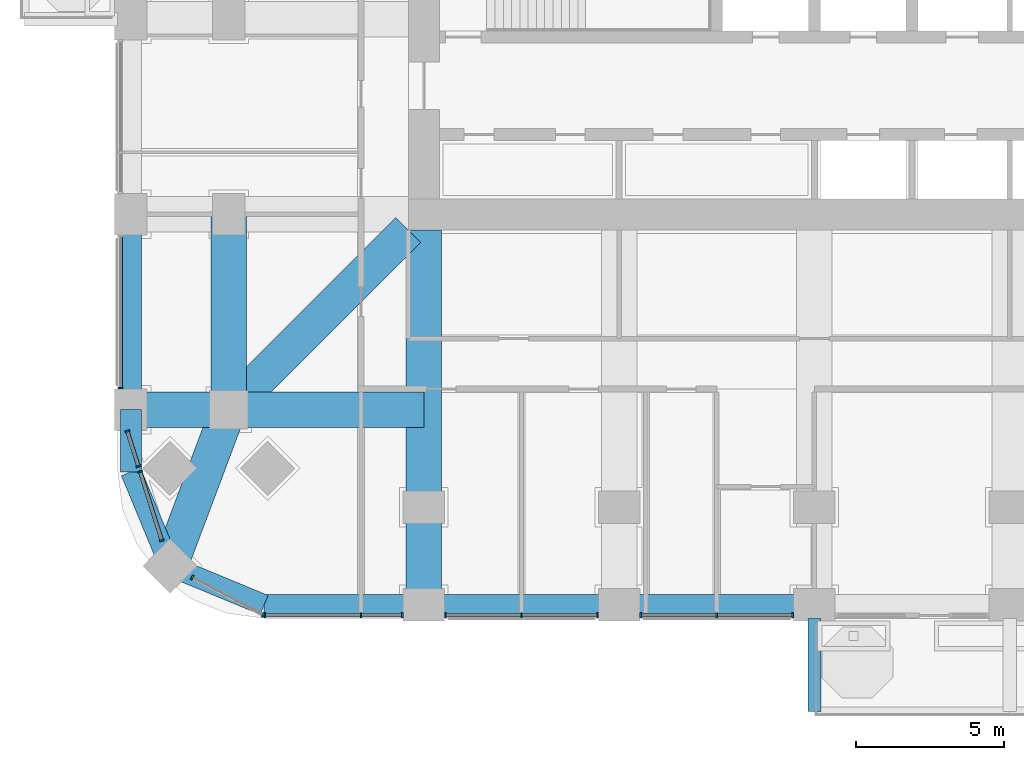
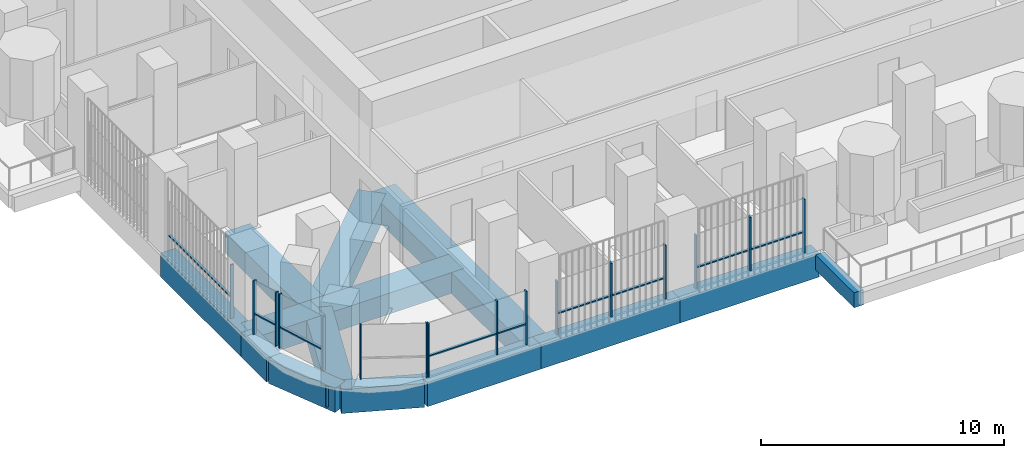
# One storey, part 2 of 22: 25 members, 14 beams, 7 elements without a shape of their own.
"""IFC4 building model written with IfcOpenShell, lengths in metres."""

from ifc_helpers import new_model, si_unit, direction, frame, origin, origin_2d, place, context, subcontext, project, spatial, rectangle, extrude, material, material_profile, profile_set, type_object, element, aggregate, save


model = new_model("IFC4")

# Units and contexts
model_context = context("Model", 3, precision=1e-05, world=origin(), true_north=direction((0.0, 1.0)))
body_context = subcontext(model_context, "Body", "Model", "MODEL_VIEW")
ifc_project = project(units=[si_unit("LENGTHUNIT", "METRE"), si_unit("AREAUNIT", "SQUARE_METRE"), si_unit("VOLUMEUNIT", "CUBIC_METRE"), si_unit("PLANEANGLEUNIT", "RADIAN"), si_unit("MASSUNIT", "GRAM", prefix="KILO")], contexts=[model_context])

# Site, building, storey
site_placement = place(None, origin())
site = spatial("IfcSite", under=ifc_project, at=site_placement, CompositionType="ELEMENT")
building_placement = place(site_placement, origin())
building = spatial("IfcBuilding", under=site, at=building_placement, Name="Cobogo Forest Laboratory Tower", CompositionType="ELEMENT")
storey_placement = place(building_placement, frame((0.0, 0.0, 111.60009765625)))
storey = spatial("IfcBuildingStorey", under=building, at=storey_placement, Name="L25", CompositionType="ELEMENT", Elevation=111.60009765625)

# Beams
ifc_material_1 = material(Name="Concrete HA-40 (C40/50)", Category="concrete")
ifc_material_profile_1 = material_profile(ifc_material_1, rectangle(XDim=0.449951171875, YDim=0.75, at=origin_2d()), Name="RC 450x750")
ifc_profile_set_1 = profile_set([ifc_material_profile_1], Name="Concrete HA-40 (C40/50)")
beam_type_1 = type_object("IfcBeamType", Name="Balcony cantilever beam 450x750", PredefinedType="BEAM", material=ifc_profile_set_1)
beam_1_placement = place(storey_placement, frame((26.39990234375, -0.449951171875, -0.625), z_axis=(0.0, -1.0, 0.0), x_axis=(1.0, 0.0, 0.0)))
element("IfcBeam", 1, at=beam_1_placement, inside=storey, type_object=beam_type_1, Name="CB1 BAL-S1-C1 L25", PredefinedType="BEAM", context=body_context, shape_type="SweptSolid", body=[
    extrude(rectangle(XDim=0.449951171875, YDim=0.75, at=origin_2d()), origin(), (0.0, 0.0, 1.0), 3.150146484375),
])
ifc_material_profile_2 = material_profile(ifc_material_1, rectangle(XDim=1.199951171875, YDim=1.050048828125, at=origin_2d()), Name="RC 1200x1050")
ifc_profile_set_2 = profile_set([ifc_material_profile_2], Name="Concrete HA-40 (C40/50)")
beam_type_2 = type_object("IfcBeamType", Name="Laboratory floor wide beam 1200x1050", PredefinedType="BEAM", material=ifc_profile_set_2)
beam_2_placement = place(storey_placement, frame((13.199951171875, 12.675048828125, -0.8251953125), z_axis=(0.0, -1.0, 0.0), x_axis=(1.0, 0.0, 0.0)))
element("IfcBeam", 2, at=beam_2_placement, inside=storey, type_object=beam_type_2, Name="RB1 R-3-S L25", PredefinedType="BEAM", context=body_context, shape_type="SweptSolid", body=[
    extrude(rectangle(XDim=1.199951171875, YDim=1.050048828125, at=origin_2d()), origin(), (0.0, 0.0, 1.0), 12.675048828125),
])
beam_3_placement = place(storey_placement, frame((6.60009765625, 6.60009765625, -0.8251953125), z_axis=(0.0, 1.0, 0.0), x_axis=(-1.0, 0.0, 0.0)))
element("IfcBeam", 3, at=beam_3_placement, inside=storey, type_object=beam_type_2, Name="RB1 G-SW-XC L25", PredefinedType="BEAM", context=body_context, shape_type="SweptSolid", body=[
    extrude(rectangle(XDim=1.199951171875, YDim=1.050048828125, at=origin_2d()), origin(), (0.0, 0.0, 1.0), 6.599853515625),
])
beam_4_placement = place(storey_placement, frame((3.300048828125, 6.60009765625, -0.8251953125), z_axis=(1.0, 0.0, 0.0), x_axis=(0.0, 1.0, 0.0)))
element("IfcBeam", 4, at=beam_4_placement, inside=storey, type_object=beam_type_2, Name="RB1 G-SW-YF L25", PredefinedType="BEAM", context=body_context, shape_type="SweptSolid", body=[
    extrude(rectangle(XDim=1.199951171875, YDim=1.050048828125, at=origin_2d()), origin(), (0.0, 0.0, 1.0), 3.300048828125),
])
beam_5_placement = place(storey_placement, frame((6.60009765625, 6.60009765625, -0.8251953125), z_axis=(1.0, 0.0, 0.0), x_axis=(0.0, 1.0, 0.0)))
element("IfcBeam", 5, at=beam_5_placement, inside=storey, type_object=beam_type_2, Name="RB1 G-SW-YC L25", PredefinedType="BEAM", context=body_context, shape_type="SweptSolid", body=[
    extrude(rectangle(XDim=1.199951171875, YDim=1.050048828125, at=origin_2d()), origin(), (0.0, 0.0, 1.0), 6.599853515625),
])
beam_6_placement = place(storey_placement, frame((4.617919921875, 1.318115234375, -0.8251953125), z_axis=(0.351346325373, 0.936245565889, 0.0), x_axis=(-0.936245565889, 0.351346325373, 0.0)))
element("IfcBeam", 6, at=beam_6_placement, inside=storey, type_object=beam_type_2, Name="RB1 G-SW-D1 L25", PredefinedType="BEAM", context=body_context, shape_type="SweptSolid", body=[
    extrude(rectangle(XDim=1.199951171875, YDim=1.050048828125, at=origin_2d()), origin(), (0.0, 0.0, 1.0), 5.6416015625),
])
beam_7_placement = place(storey_placement, frame((6.60009765625, 6.60009765625, -0.8251953125), z_axis=(0.707106781187, 0.707106781187, 0.0), x_axis=(-0.707106781187, 0.707106781187, 0.0)))
element("IfcBeam", 7, at=beam_7_placement, inside=storey, type_object=beam_type_2, Name="RB1 G-SW-D2 L25", PredefinedType="BEAM", context=body_context, shape_type="SweptSolid", body=[
    extrude(rectangle(XDim=1.199951171875, YDim=1.050048828125, at=origin_2d()), origin(), (0.0, 0.0, 1.0), 8.59130859375),
])

# Curtain wall, members
ifc_material_2 = material(Name="Aluminium curtain wall", Category="aluminium")
curtain_wall_type = type_object("IfcCurtainWallType", Name="CW-1 unitised curtain wall, clear glazing, laboratory floors zones A and B", PredefinedType="USERDEFINED", material=ifc_material_2)
curtain_wall_1_placement = place(storey_placement, origin())
curtain_wall_1 = element("IfcCurtainWall", 8, at=curtain_wall_1_placement, inside=storey, type_object=curtain_wall_type, Name="Curtain wall 01 L25", ObjectType="UNITISED CURTAIN WALL", PredefinedType="USERDEFINED")
ifc_material_3 = material(Name="Aluminium mullion", Category="aluminium")
ifc_material_profile_3 = material_profile(ifc_material_3, rectangle(XDim=0.06005859375, YDim=0.159912109375, at=origin_2d()), Name="AL 60x160")
ifc_profile_set_3 = profile_set([ifc_material_profile_3], Name="Aluminium mullion")
member_type_1 = type_object("IfcMemberType", Name="MU-1 aluminium mullion 60x160", PredefinedType="MULLION", material=ifc_profile_set_3)
member_1_placement = place(storey_placement, frame((7.830078125, -0.35009765625, 0.0), z_axis=(0.0, 0.0, 1.0), x_axis=(1.0, 0.0, 0.0)))
member_1 = element("IfcMember", 9, at=member_1_placement, type_object=member_type_1, Name="CW-1 mullion 1", PredefinedType="MULLION", context=body_context, shape_type="SweptSolid", body=[
    extrude(rectangle(XDim=0.06005859375, YDim=0.159912109375, at=origin_2d()), origin(), (0.0, 0.0, 1.0), 2.699951171875),
])
member_2_placement = place(storey_placement, frame((11.074951171875, -0.35009765625, 0.0), z_axis=(0.0, 0.0, 1.0), x_axis=(1.0, 0.0, 0.0)))
member_2 = element("IfcMember", 10, at=member_2_placement, type_object=member_type_1, Name="CW-1 mullion 2", PredefinedType="MULLION", context=body_context, shape_type="SweptSolid", body=[
    extrude(rectangle(XDim=0.06005859375, YDim=0.159912109375, at=origin_2d()), origin(), (0.0, 0.0, 1.0), 2.699951171875),
])
member_3_placement = place(storey_placement, frame((12.469970703125, -0.35009765625, 0.0), z_axis=(0.0, 0.0, 1.0), x_axis=(1.0, 0.0, 0.0)))
member_3 = element("IfcMember", 11, at=member_3_placement, type_object=member_type_1, Name="CW-1 mullion 3", PredefinedType="MULLION", context=body_context, shape_type="SweptSolid", body=[
    extrude(rectangle(XDim=0.06005859375, YDim=0.159912109375, at=origin_2d()), origin(), (0.0, 0.0, 1.0), 2.699951171875),
])

curtain_wall_2_placement = place(storey_placement, origin())
curtain_wall_2 = element("IfcCurtainWall", 12, at=curtain_wall_2_placement, inside=storey, type_object=curtain_wall_type, Name="Curtain wall 02 L25", ObjectType="UNITISED CURTAIN WALL", PredefinedType="USERDEFINED")
member_4_placement = place(storey_placement, frame((13.929931640625, -0.35009765625, 0.0), z_axis=(0.0, 0.0, 1.0), x_axis=(1.0, 0.0, 0.0)))
member_4 = element("IfcMember", 13, at=member_4_placement, type_object=member_type_1, Name="CW-1 mullion 1", PredefinedType="MULLION", context=body_context, shape_type="SweptSolid", body=[
    extrude(rectangle(XDim=0.06005859375, YDim=0.159912109375, at=origin_2d()), origin(), (0.0, 0.0, 1.0), 2.699951171875),
])
member_5_placement = place(storey_placement, frame((16.5, -0.35009765625, 0.0), z_axis=(0.0, 0.0, 1.0), x_axis=(1.0, 0.0, 0.0)))
member_5 = element("IfcMember", 14, at=member_5_placement, type_object=member_type_1, Name="CW-1 mullion 2", PredefinedType="MULLION", context=body_context, shape_type="SweptSolid", body=[
    extrude(rectangle(XDim=0.06005859375, YDim=0.159912109375, at=origin_2d()), origin(), (0.0, 0.0, 1.0), 2.699951171875),
])
member_6_placement = place(storey_placement, frame((19.070068359375, -0.35009765625, 0.0), z_axis=(0.0, 0.0, 1.0), x_axis=(1.0, 0.0, 0.0)))
member_6 = element("IfcMember", 15, at=member_6_placement, type_object=member_type_1, Name="CW-1 mullion 3", PredefinedType="MULLION", context=body_context, shape_type="SweptSolid", body=[
    extrude(rectangle(XDim=0.06005859375, YDim=0.159912109375, at=origin_2d()), origin(), (0.0, 0.0, 1.0), 2.699951171875),
])

curtain_wall_3_placement = place(storey_placement, origin())
curtain_wall_3 = element("IfcCurtainWall", 16, at=curtain_wall_3_placement, inside=storey, type_object=curtain_wall_type, Name="Curtain wall 03 L25", ObjectType="UNITISED CURTAIN WALL", PredefinedType="USERDEFINED")
member_7_placement = place(storey_placement, frame((20.530029296875, -0.35009765625, 0.0), z_axis=(0.0, 0.0, 1.0), x_axis=(1.0, 0.0, 0.0)))
member_7 = element("IfcMember", 17, at=member_7_placement, type_object=member_type_1, Name="CW-1 mullion 1", PredefinedType="MULLION", context=body_context, shape_type="SweptSolid", body=[
    extrude(rectangle(XDim=0.06005859375, YDim=0.159912109375, at=origin_2d()), origin(), (0.0, 0.0, 1.0), 2.699951171875),
])
member_8_placement = place(storey_placement, frame((23.10009765625, -0.35009765625, 0.0), z_axis=(0.0, 0.0, 1.0), x_axis=(1.0, 0.0, 0.0)))
member_8 = element("IfcMember", 18, at=member_8_placement, type_object=member_type_1, Name="CW-1 mullion 2", PredefinedType="MULLION", context=body_context, shape_type="SweptSolid", body=[
    extrude(rectangle(XDim=0.06005859375, YDim=0.159912109375, at=origin_2d()), origin(), (0.0, 0.0, 1.0), 2.699951171875),
])
member_9_placement = place(storey_placement, frame((25.669921875, -0.35009765625, 0.0), z_axis=(0.0, 0.0, 1.0), x_axis=(1.0, 0.0, 0.0)))
member_9 = element("IfcMember", 19, at=member_9_placement, type_object=member_type_1, Name="CW-1 mullion 3", PredefinedType="MULLION", context=body_context, shape_type="SweptSolid", body=[
    extrude(rectangle(XDim=0.06005859375, YDim=0.159912109375, at=origin_2d()), origin(), (0.0, 0.0, 1.0), 2.699951171875),
])

# Curtain wall, member
curtain_wall_4_placement = place(storey_placement, origin())
curtain_wall_4 = element("IfcCurtainWall", 20, at=curtain_wall_4_placement, inside=storey, type_object=curtain_wall_type, Name="Curtain wall 31 L25", ObjectType="UNITISED CURTAIN WALL", PredefinedType="USERDEFINED")
member_10_placement = place(storey_placement, frame((2.949951171875, 7.330078125, 0.0), z_axis=(0.0, 0.0, 1.0), x_axis=(0.0, -1.0, 0.0)))
member_10 = element("IfcMember", 21, at=member_10_placement, type_object=member_type_1, Name="CW-1 mullion 2", PredefinedType="MULLION", context=body_context, shape_type="SweptSolid", body=[
    extrude(rectangle(XDim=0.06005859375, YDim=0.159912109375, at=origin_2d()), origin(), (0.0, 0.0, 1.0), 2.699951171875),
])

# Curtain wall, members
curtain_wall_5_placement = place(storey_placement, origin())
curtain_wall_5 = element("IfcCurtainWall", 22, at=curtain_wall_5_placement, inside=storey, type_object=curtain_wall_type, Name="Curtain wall 32 L25", ObjectType="UNITISED CURTAIN WALL", PredefinedType="USERDEFINED")
member_11_placement = place(storey_placement, frame((3.18017578125, 5.871337890625, 0.0), z_axis=(0.0, 0.0, 1.0), x_axis=(0.301135356805, -0.953581405483, 0.0)))
member_11 = element("IfcMember", 23, at=member_11_placement, type_object=member_type_1, Name="CW-1 mullion 1", PredefinedType="MULLION", context=body_context, shape_type="SweptSolid", body=[
    extrude(rectangle(XDim=0.06005859375, YDim=0.159912109375, at=origin_2d()), origin(), (0.0, 0.0, 1.0), 2.699951171875),
])
member_12_placement = place(storey_placement, frame((3.55224609375, 4.69287109375, 0.0), z_axis=(0.0, 0.0, 1.0), x_axis=(0.301135356805, -0.953581405483, 0.0)))
member_12 = element("IfcMember", 24, at=member_12_placement, type_object=member_type_1, Name="CW-1 mullion 2", PredefinedType="MULLION", context=body_context, shape_type="SweptSolid", body=[
    extrude(rectangle(XDim=0.06005859375, YDim=0.159912109375, at=origin_2d()), origin(), (0.0, 0.0, 1.0), 2.699951171875),
])

curtain_wall_6_placement = place(storey_placement, origin())
curtain_wall_6 = element("IfcCurtainWall", 25, at=curtain_wall_6_placement, inside=storey, type_object=curtain_wall_type, Name="Curtain wall 33 L25", ObjectType="UNITISED CURTAIN WALL", PredefinedType="USERDEFINED")
member_13_placement = place(storey_placement, frame((3.613037109375, 4.500244140625, 0.0), z_axis=(0.0, 0.0, 1.0), x_axis=(0.301135291996, -0.953581425949, 0.0)))
member_13 = element("IfcMember", 26, at=member_13_placement, type_object=member_type_1, Name="CW-1 mullion 1", PredefinedType="MULLION", context=body_context, shape_type="SweptSolid", body=[
    extrude(rectangle(XDim=0.06005859375, YDim=0.159912109375, at=origin_2d()), origin(), (0.0, 0.0, 1.0), 2.699951171875),
])
member_14_placement = place(storey_placement, frame((4.34423828125, 2.18505859375, 0.0), z_axis=(0.0, 0.0, 1.0), x_axis=(0.301135291996, -0.953581425949, 0.0)))
member_14 = element("IfcMember", 27, at=member_14_placement, type_object=member_type_1, Name="CW-1 mullion 2", PredefinedType="MULLION", context=body_context, shape_type="SweptSolid", body=[
    extrude(rectangle(XDim=0.06005859375, YDim=0.159912109375, at=origin_2d()), origin(), (0.0, 0.0, 1.0), 2.699951171875),
])

curtain_wall_7_placement = place(storey_placement, origin())
curtain_wall_7 = element("IfcCurtainWall", 28, at=curtain_wall_7_placement, inside=storey, type_object=curtain_wall_type, Name="Curtain wall 34 L25", ObjectType="UNITISED CURTAIN WALL", PredefinedType="USERDEFINED")
member_15_placement = place(storey_placement, frame((5.368408203125, 0.9248046875, 0.0), z_axis=(0.0, 0.0, 1.0), x_axis=(0.885686547075, -0.464283685186, 0.0)))
member_15 = element("IfcMember", 29, at=member_15_placement, type_object=member_type_1, Name="CW-1 mullion 1", PredefinedType="MULLION", context=body_context, shape_type="SweptSolid", body=[
    extrude(rectangle(XDim=0.06005859375, YDim=0.159912109375, at=origin_2d()), origin(), (0.0, 0.0, 1.0), 2.699951171875),
])
member_16_placement = place(storey_placement, frame((7.7734375, -0.336181640625, 0.0), z_axis=(0.0, 0.0, 1.0), x_axis=(0.885686547075, -0.464283685186, 0.0)))
member_16 = element("IfcMember", 30, at=member_16_placement, type_object=member_type_1, Name="CW-1 mullion 2", PredefinedType="MULLION", context=body_context, shape_type="SweptSolid", body=[
    extrude(rectangle(XDim=0.06005859375, YDim=0.159912109375, at=origin_2d()), origin(), (0.0, 0.0, 1.0), 2.699951171875),
])
aggregate(curtain_wall_7, [member_15, member_16])

# Beams
ifc_material_profile_4 = material_profile(ifc_material_1, rectangle(XDim=0.699951171875, YDim=1.199951171875, at=origin_2d()), Name="RC 700x1200")
ifc_profile_set_4 = profile_set([ifc_material_profile_4], Name="Concrete HA-40 (C40/50)")
beam_type_3 = type_object("IfcBeamType", Name="Perimeter edge beam 700x1200", PredefinedType="BEAM", material=ifc_profile_set_4)
beam_8_placement = place(storey_placement, frame((13.199951171875, 0.0, -0.900146484375), z_axis=(1.0, 0.0, 0.0), x_axis=(0.0, 1.0, 0.0)))
element("IfcBeam", 31, at=beam_8_placement, inside=storey, type_object=beam_type_3, Name="EB1 E-S1 L25", PredefinedType="BEAM", context=body_context, shape_type="SweptSolid", body=[
    extrude(rectangle(XDim=0.699951171875, YDim=1.199951171875, at=origin_2d()), origin(), (0.0, 0.0, 1.0), 6.60009765625),
])
for number, where, z_axis, x_axis, name in (
    (32, (19.800048828125, 0.0, -0.900146484375), (1.0, 0.0, 0.0), (0.0, 1.0, 0.0), "EB1 E-S2 L25"),
    (33, (3.300048828125, 6.60009765625, -0.900146484375), (0.0, 1.0, 0.0), (-1.0, 0.0, 0.0), "EB1 E-W1 L25"),
):
    element("IfcBeam", number, at=place(storey_placement, frame(where, z_axis=z_axis, x_axis=x_axis)), inside=storey, type_object=beam_type_3, Name=name, PredefinedType="BEAM", context=body_context, shape_type="SweptSolid", body=[
        extrude(rectangle(XDim=0.699951171875, YDim=1.199951171875, at=origin_2d()), origin(), (0.0, 0.0, 1.0), 6.599853515625),
    ])
beam_9_placement = place(storey_placement, frame((13.199951171875, 0.0, -0.900146484375), z_axis=(-1.0, 0.0, 0.0), x_axis=(0.0, -1.0, 0.0)))
element("IfcBeam", 34, at=beam_9_placement, inside=storey, type_object=beam_type_3, Name="EB1 E-SWS1 L25", PredefinedType="BEAM", context=body_context, shape_type="SweptSolid", body=[
    extrude(rectangle(XDim=0.699951171875, YDim=1.199951171875, at=origin_2d()), origin(), (0.0, 0.0, 1.0), 5.39990234375),
])
beam_10_placement = place(storey_placement, frame((7.800048828125, 0.0, -0.900146484375), z_axis=(-0.923876013265, 0.382691928466, 0.0), x_axis=(-0.382691928466, -0.923876013265, 0.0)))
element("IfcBeam", 35, at=beam_10_placement, inside=storey, type_object=beam_type_3, Name="EB1 E-SWS2 L25", PredefinedType="BEAM", context=body_context, shape_type="SweptSolid", body=[
    extrude(rectangle(XDim=0.699951171875, YDim=1.199951171875, at=origin_2d()), origin(), (0.0, 0.0, 1.0), 3.4443359375),
])
beam_11_placement = place(storey_placement, frame((3.300048828125, 6.60009765625, -0.900146484375), z_axis=(0.0, -1.0, 0.0), x_axis=(1.0, 0.0, 0.0)))
element("IfcBeam", 36, at=beam_11_placement, inside=storey, type_object=beam_type_3, Name="EB1 E-SWW1 L25", PredefinedType="BEAM", context=body_context, shape_type="SweptSolid", body=[
    extrude(rectangle(XDim=0.699951171875, YDim=1.199951171875, at=origin_2d()), origin(), (0.0, 0.0, 1.0), 2.10009765625),
])
beam_12_placement = place(storey_placement, frame((3.300048828125, 4.5, -0.900146484375), z_axis=(0.382656484822, -0.923890694089, 0.0), x_axis=(0.923890694089, 0.382656484822, 0.0)))
element("IfcBeam", 37, at=beam_12_placement, inside=storey, type_object=beam_type_3, Name="EB1 E-SWW2 L25", PredefinedType="BEAM", context=body_context, shape_type="SweptSolid", body=[
    extrude(rectangle(XDim=0.699951171875, YDim=1.199951171875, at=origin_2d()), origin(), (0.0, 0.0, 1.0), 3.444091796875),
])

# Member
ifc_material_4 = material(Name="Aluminium transom", Category="aluminium")
ifc_material_profile_5 = material_profile(ifc_material_4, rectangle(XDim=0.1201171875, YDim=0.06005859375, at=origin_2d()), Name="AL 60x120")
ifc_profile_set_5 = profile_set([ifc_material_profile_5], Name="Aluminium transom")
member_type_2 = type_object("IfcMemberType", Name="TR-1 aluminium transom 60x120", PredefinedType="USERDEFINED", material=ifc_profile_set_5)
member_17_placement = place(storey_placement, frame((7.860107421875, -0.35009765625, 1.0498046875), z_axis=(1.0, 0.0, 0.0), x_axis=(0.0, 1.0, 0.0)))
member_17 = element("IfcMember", 38, at=member_17_placement, type_object=member_type_2, Name="CW-1 transom 1.1", ObjectType="TRANSOM", PredefinedType="USERDEFINED", context=body_context, shape_type="SweptSolid", body=[
    extrude(rectangle(XDim=0.1201171875, YDim=0.06005859375, at=origin_2d()), origin(), (0.0, 0.0, 1.0), 3.184814453125),
])

member_18_placement = place(storey_placement, frame((11.10498046875, -0.35009765625, 1.0498046875), z_axis=(1.0, 0.0, 0.0), x_axis=(0.0, 1.0, 0.0)))
member_18 = element("IfcMember", 39, at=member_18_placement, type_object=member_type_2, Name="CW-1 transom 2.1", ObjectType="TRANSOM", PredefinedType="USERDEFINED", context=body_context, shape_type="SweptSolid", body=[
    extrude(rectangle(XDim=0.1201171875, YDim=0.06005859375, at=origin_2d()), origin(), (0.0, 0.0, 1.0), 1.3349609375),
])

aggregate(curtain_wall_1, [member_1, member_2, member_3, member_17, member_18])

member_19_placement = place(storey_placement, frame((13.9599609375, -0.35009765625, 1.0498046875), z_axis=(1.0, 0.0, 0.0), x_axis=(0.0, 1.0, 0.0)))
member_19 = element("IfcMember", 40, at=member_19_placement, type_object=member_type_2, Name="CW-1 transom 1.1", ObjectType="TRANSOM", PredefinedType="USERDEFINED", context=body_context, shape_type="SweptSolid", body=[
    extrude(rectangle(XDim=0.1201171875, YDim=0.06005859375, at=origin_2d()), origin(), (0.0, 0.0, 1.0), 2.510009765625),
])

member_20_placement = place(storey_placement, frame((16.530029296875, -0.35009765625, 1.0498046875), z_axis=(1.0, 0.0, 0.0), x_axis=(0.0, 1.0, 0.0)))
member_20 = element("IfcMember", 41, at=member_20_placement, type_object=member_type_2, Name="CW-1 transom 2.1", ObjectType="TRANSOM", PredefinedType="USERDEFINED", context=body_context, shape_type="SweptSolid", body=[
    extrude(rectangle(XDim=0.1201171875, YDim=0.06005859375, at=origin_2d()), origin(), (0.0, 0.0, 1.0), 2.510009765625),
])

aggregate(curtain_wall_2, [member_4, member_5, member_6, member_19, member_20])

member_21_placement = place(storey_placement, frame((20.56005859375, -0.35009765625, 1.0498046875), z_axis=(1.0, 0.0, 0.0), x_axis=(0.0, 1.0, 0.0)))
member_21 = element("IfcMember", 42, at=member_21_placement, type_object=member_type_2, Name="CW-1 transom 1.1", ObjectType="TRANSOM", PredefinedType="USERDEFINED", context=body_context, shape_type="SweptSolid", body=[
    extrude(rectangle(XDim=0.1201171875, YDim=0.06005859375, at=origin_2d()), origin(), (0.0, 0.0, 1.0), 2.510009765625),
])

member_22_placement = place(storey_placement, frame((23.1298828125, -0.35009765625, 1.0498046875), z_axis=(1.0, 0.0, 0.0), x_axis=(0.0, 1.0, 0.0)))
member_22 = element("IfcMember", 43, at=member_22_placement, type_object=member_type_2, Name="CW-1 transom 2.1", ObjectType="TRANSOM", PredefinedType="USERDEFINED", context=body_context, shape_type="SweptSolid", body=[
    extrude(rectangle(XDim=0.1201171875, YDim=0.06005859375, at=origin_2d()), origin(), (0.0, 0.0, 1.0), 2.510009765625),
])

aggregate(curtain_wall_3, [member_7, member_8, member_9, member_21, member_22])

member_23_placement = place(storey_placement, frame((2.949951171875, 12.43994140625, 1.0498046875), z_axis=(0.0, -1.0, 0.0), x_axis=(1.0, 0.0, 0.0)))
member_23 = element("IfcMember", 44, at=member_23_placement, type_object=member_type_2, Name="CW-1 transom 1.1", ObjectType="TRANSOM", PredefinedType="USERDEFINED", context=body_context, shape_type="SweptSolid", body=[
    extrude(rectangle(XDim=0.1201171875, YDim=0.06005859375, at=origin_2d()), origin(), (0.0, 0.0, 1.0), 5.079833984375),
])

aggregate(curtain_wall_4, [member_10, member_23])

member_24_placement = place(storey_placement, frame((3.189208984375, 5.8427734375, 1.0498046875), z_axis=(0.301111490799, -0.953588941897, 0.0), x_axis=(0.953588941897, 0.301111490799, 0.0)))
member_24 = element("IfcMember", 45, at=member_24_placement, type_object=member_type_2, Name="CW-1 transom 1.1", ObjectType="TRANSOM", PredefinedType="USERDEFINED", context=body_context, shape_type="SweptSolid", body=[
    extrude(rectangle(XDim=0.1201171875, YDim=0.06005859375, at=origin_2d()), origin(), (0.0, 0.0, 1.0), 1.175537109375),
])

aggregate(curtain_wall_5, [member_11, member_12, member_24])

member_25_placement = place(storey_placement, frame((3.6220703125, 4.4716796875, 1.0498046875), z_axis=(0.301156039198, -0.953574873859, 0.0), x_axis=(0.953574873859, 0.301156039198, 0.0)))
member_25 = element("IfcMember", 46, at=member_25_placement, type_object=member_type_2, Name="CW-1 transom 1.1", ObjectType="TRANSOM", PredefinedType="USERDEFINED", context=body_context, shape_type="SweptSolid", body=[
    extrude(rectangle(XDim=0.1201171875, YDim=0.06005859375, at=origin_2d()), origin(), (0.0, 0.0, 1.0), 2.367919921875),
])

aggregate(curtain_wall_6, [member_13, member_14, member_25])

save(model, "model.ifc")
